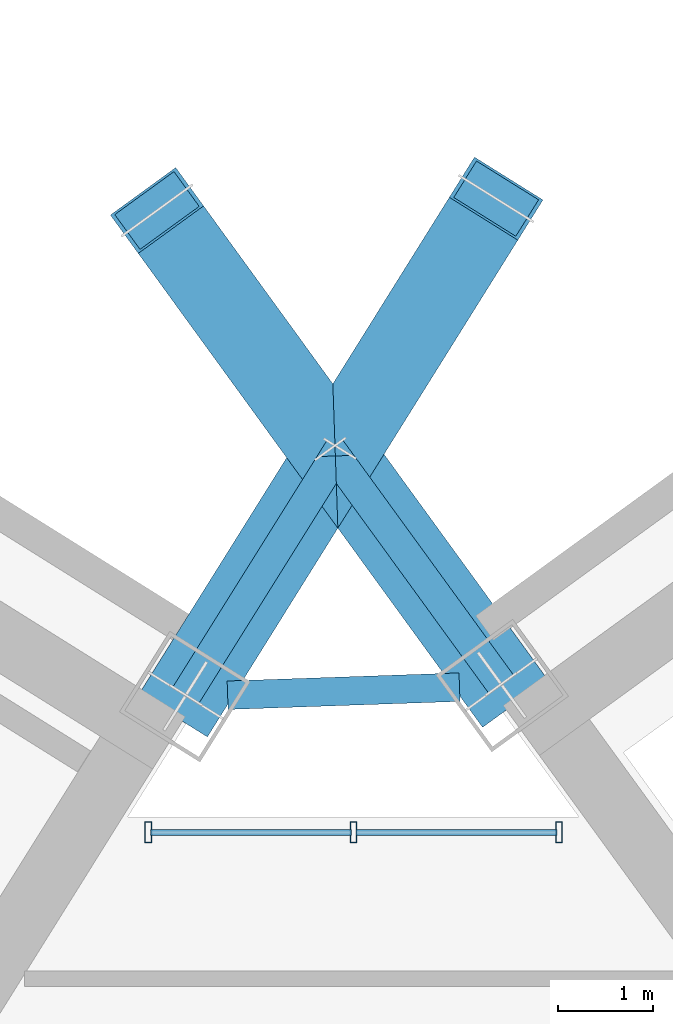
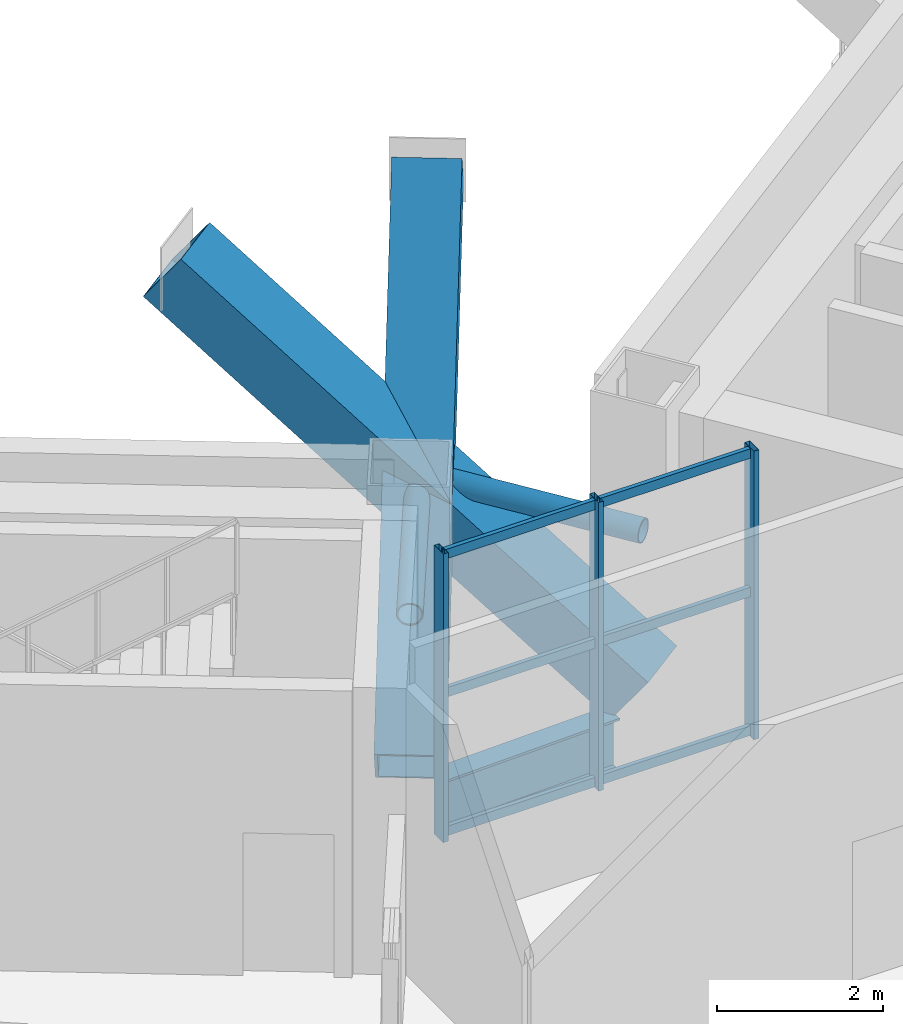
# One storey, part 11 of 30: 13 members, 1 beam, 1 element without a shape of its own.
"""IFC4 building model written with IfcOpenShell, lengths in metres."""

from ifc_helpers import new_model, si_unit, direction, frame, origin, origin_2d, place, context, subcontext, project, spatial, hollow_rectangle, hollow_circle, i_section, extrude, source, transform, mapped, material, material_profile, profile_set, type_object, element, aggregate, save


model = new_model("IFC4")

# Units and contexts
model_context = context("Model", 3, precision=1e-05, world=origin(), true_north=direction((0.0, 1.0)))
body_context = subcontext(model_context, "Body", "Model", "MODEL_VIEW")
ifc_project = project(units=[si_unit("LENGTHUNIT", "METRE"), si_unit("AREAUNIT", "SQUARE_METRE"), si_unit("VOLUMEUNIT", "CUBIC_METRE"), si_unit("PLANEANGLEUNIT", "RADIAN"), si_unit("MASSUNIT", "GRAM", prefix="KILO")], contexts=[model_context])

# Site, building, storey
site_placement = place(None, origin())
site = spatial("IfcSite", under=ifc_project, at=site_placement, CompositionType="ELEMENT")
building_placement = place(site_placement, origin())
building = spatial("IfcBuilding", under=site, at=building_placement, Name="Tlacorven Tower", CompositionType="ELEMENT")
storey_placement = place(building_placement, frame((0.0, 0.0, 67.199951171875)))
storey = spatial("IfcBuildingStorey", under=building, at=storey_placement, Name="L17", CompositionType="ELEMENT", Elevation=67.199951171875)

# Beam
ifc_material_1 = material(Name="Steel S355J2", Category="steel")
ifc_material_profile_1 = material_profile(ifc_material_1, i_section(OverallWidth=0.300048828125, OverallDepth=0.800048828125, WebThickness=0.017578125, FlangeThickness=0.032958984375, at=origin_2d()), Name="HEB 800")
ifc_profile_set_1 = profile_set([ifc_material_profile_1], Name="Steel S355J2")
beam_type = type_object("IfcBeamType", Name="BM-POD-800", PredefinedType="BEAM", material=ifc_profile_set_1)
shared_shape_1 = source(origin(), body_context, "Body", "SweptSolid", [
    extrude(i_section(OverallWidth=0.300048828125, OverallDepth=0.800048828125, WebThickness=0.017578125, FlangeThickness=0.032958984375, at=origin_2d()), origin(), (0.0, 0.0, 1.0), 2.44287109375),
])
beam_placement = place(storey_placement, frame((41.232666015625, 24.484130859375, -0.64990234375), z_axis=(0.999391550767, 0.034878765122, 0.0), x_axis=(-0.034878765122, 0.999391550767, 0.0)))
element("IfcBeam", 1, at=beam_placement, inside=storey, type_object=beam_type, Name="L17 Knuckle Link Girder 1", PredefinedType="BEAM", context=body_context, shape_type="MappedRepresentation", body=[
    mapped(shared_shape_1, transform((0.0, 0.0, 0.0), scale=1.0)),
])

# Members
ifc_material_2 = material(Name="Steel S460M", Category="steel")
ifc_material_profile_2 = material_profile(ifc_material_2, hollow_rectangle(XDim=0.85009765625, YDim=0.85009765625, WallThickness=0.0400390625, at=origin_2d()), Name="BOX 850X850X40")
ifc_profile_set_2 = profile_set([ifc_material_profile_2], Name="Steel S460M")
member_type_1 = type_object("IfcMemberType", Name="MB-RAK-EXT", PredefinedType="STRUT", material=ifc_profile_set_2)
shared_shape_2 = source(origin(), body_context, "Body", "SweptSolid", [
    extrude(hollow_rectangle(XDim=0.85009765625, YDim=0.85009765625, WallThickness=0.0400390625, at=origin_2d()), origin(), (0.0, 0.0, 1.0), 7.62109375),
])
for number, where, z_axis, x_axis, name in (
    (2, (40.79150390625, 24.482177734375, 0.01171875), (0.428857238409, 0.686325351137, 0.587400188501), (-0.848051671646, 0.529913542211, 0.0), "L17 Block-Shift Raking Transfer Strut W1"),
    (3, (44.1142578125, 24.59814453125, 0.01171875), (-0.475691676108, 0.654736782025, 0.587398651297), (-0.809018428472, -0.587783278422, 0.0), "L17 Block-Shift Raking Transfer Strut E1"),
):
    element("IfcMember", number, at=place(storey_placement, frame(where, z_axis=z_axis, x_axis=x_axis)), inside=storey, type_object=member_type_1, Name=name, PredefinedType="STRUT", context=body_context, shape_type="MappedRepresentation", body=[
        mapped(shared_shape_2, transform((0.0, 0.0, 0.0), scale=1.0)),
    ])
ifc_material_profile_3 = material_profile(ifc_material_2, hollow_circle(Radius=0.161865234375, WallThickness=0.01611328125, at=origin_2d()), Name="CHS 323.9X16")
ifc_profile_set_3 = profile_set([ifc_material_profile_3], Name="Steel S460M")
member_type_2 = type_object("IfcMemberType", Name="MB-SHF-BRC", PredefinedType="BRACE", material=ifc_profile_set_3)
shared_shape_3 = source(origin(), body_context, "Body", "SweptSolid", [
    extrude(hollow_circle(Radius=0.161865234375, WallThickness=0.01611328125, at=origin_2d()), origin(), (0.0, 0.0, 1.0), 3.06005859375),
])
for number, where, z_axis, x_axis, name in (
    (4, (40.79345703125, 24.4853515625, 2.25), (0.529934393004, 0.848038642463, 0.0), (-0.848038642463, 0.529934393004, 0.0), "L17 Raking Strut Stabilising Web Brace W1"),
    (5, (44.112060546875, 24.601318359375, 2.25), (-0.587777877013, 0.809022352778, 0.0), (-0.809022352778, -0.587777877013, 0.0), "L17 Raking Strut Stabilising Web Brace E1"),
):
    element("IfcMember", number, at=place(storey_placement, frame(where, z_axis=z_axis, x_axis=x_axis)), inside=storey, type_object=member_type_2, Name=name, PredefinedType="BRACE", context=body_context, shape_type="MappedRepresentation", body=[
        mapped(shared_shape_3, transform((0.0, 0.0, 0.0), scale=1.0)),
    ])

# Curtain wall, members
ifc_material_3 = material(Name="Dark solar low-E double glazing in aluminium frame", Category="aluminium")
curtain_wall_type = type_object("IfcCurtainWallType", Name="CW-TWR-LOW", PredefinedType="USERDEFINED", material=ifc_material_3)
curtain_wall_placement = place(storey_placement, origin())
curtain_wall = element("IfcCurtainWall", 6, at=curtain_wall_placement, inside=storey, type_object=curtain_wall_type, Name="L17 CW-TWR-LOW Curtain Wall 98", ObjectType="UNITISED CURTAIN WALL", PredefinedType="USERDEFINED")
ifc_material_4 = material(Name="Aluminium 6063-T6 anodised", Category="aluminium")
ifc_material_profile_4 = material_profile(ifc_material_4, hollow_rectangle(XDim=0.06005859375, YDim=0.139892578125, WallThickness=0.00390625, at=origin_2d()), Name="ALU TRANSOM 60X140")
ifc_profile_set_4 = profile_set([ifc_material_profile_4], Name="Aluminium 6063-T6 anodised")
member_type_3 = type_object("IfcMemberType", Name="CWT-02", PredefinedType="USERDEFINED", material=ifc_profile_set_4)
shared_shape_4 = source(origin(), body_context, "Body", "SweptSolid", [
    extrude(hollow_rectangle(XDim=0.06005859375, YDim=0.139892578125, WallThickness=0.00390625, at=origin_2d()), origin(), (0.0, 0.0, 1.0), 2.116455078125),
])
member_1_placement = place(storey_placement, frame((40.419921875, 23.0400390625, 0.070068359375), z_axis=(1.0, 0.0, 0.0), x_axis=(0.0, 1.0, 0.0)))
member_1 = element("IfcMember", 7, at=member_1_placement, type_object=member_type_3, Name="CW-L17-098 Transom 1", ObjectType="TRANSOM", PredefinedType="USERDEFINED", context=body_context, shape_type="MappedRepresentation", body=[
    mapped(shared_shape_4, transform((0.0, 0.0, 0.0), scale=1.0)),
])
member_2_placement = place(storey_placement, frame((40.419921875, 23.0400390625, 2.110107421875), z_axis=(1.0, 0.0, 0.0), x_axis=(0.0, 1.0, 0.0)))
member_2 = element("IfcMember", 8, at=member_2_placement, type_object=member_type_3, Name="CW-L17-098 Transom 2", ObjectType="TRANSOM", PredefinedType="USERDEFINED", context=body_context, shape_type="MappedRepresentation", body=[
    mapped(shared_shape_4, transform((0.0, 0.0, 0.0), scale=1.0)),
])
member_3_placement = place(storey_placement, frame((40.419921875, 23.0400390625, 4.150146484375), z_axis=(1.0, 0.0, 0.0), x_axis=(0.0, 1.0, 0.0)))
member_3 = element("IfcMember", 9, at=member_3_placement, type_object=member_type_3, Name="CW-L17-098 Transom 3", ObjectType="TRANSOM", PredefinedType="USERDEFINED", context=body_context, shape_type="MappedRepresentation", body=[
    mapped(shared_shape_4, transform((0.0, 0.0, 0.0), scale=1.0)),
])
shared_shape_5 = source(origin(), body_context, "Body", "SweptSolid", [
    extrude(hollow_rectangle(XDim=0.06005859375, YDim=0.139892578125, WallThickness=0.00390625, at=origin_2d()), origin(), (0.0, 0.0, 1.0), 2.11669921875),
])
member_4_placement = place(storey_placement, frame((42.582275390625, 23.0400390625, 0.070068359375), z_axis=(1.0, 0.0, 0.0), x_axis=(0.0, 1.0, 0.0)))
member_4 = element("IfcMember", 10, at=member_4_placement, type_object=member_type_3, Name="CW-L17-098 Transom 4", ObjectType="TRANSOM", PredefinedType="USERDEFINED", context=body_context, shape_type="MappedRepresentation", body=[
    mapped(shared_shape_5, transform((0.0, 0.0, 0.0), scale=1.0)),
])
member_5_placement = place(storey_placement, frame((42.582275390625, 23.0400390625, 2.110107421875), z_axis=(1.0, 0.0, 0.0), x_axis=(0.0, 1.0, 0.0)))
member_5 = element("IfcMember", 11, at=member_5_placement, type_object=member_type_3, Name="CW-L17-098 Transom 5", ObjectType="TRANSOM", PredefinedType="USERDEFINED", context=body_context, shape_type="MappedRepresentation", body=[
    mapped(shared_shape_5, transform((0.0, 0.0, 0.0), scale=1.0)),
])
member_6_placement = place(storey_placement, frame((42.582275390625, 23.0400390625, 4.150146484375), z_axis=(1.0, 0.0, 0.0), x_axis=(0.0, 1.0, 0.0)))
member_6 = element("IfcMember", 12, at=member_6_placement, type_object=member_type_3, Name="CW-L17-098 Transom 6", ObjectType="TRANSOM", PredefinedType="USERDEFINED", context=body_context, shape_type="MappedRepresentation", body=[
    mapped(shared_shape_5, transform((0.0, 0.0, 0.0), scale=1.0)),
])
ifc_material_profile_5 = material_profile(ifc_material_4, hollow_rectangle(XDim=0.070068359375, YDim=0.219970703125, WallThickness=0.0048828125, at=origin_2d()), Name="ALU MULLION 70X220")
ifc_profile_set_5 = profile_set([ifc_material_profile_5], Name="Aluminium 6063-T6 anodised")
member_type_4 = type_object("IfcMemberType", Name="CWM-01", PredefinedType="MULLION", material=ifc_profile_set_5)
shared_shape_6 = source(origin(), body_context, "Body", "SweptSolid", [
    extrude(hollow_rectangle(XDim=0.070068359375, YDim=0.219970703125, WallThickness=0.0048828125, at=origin_2d()), origin(), (0.0, 0.0, 1.0), 4.25),
])
member_7_placement = place(storey_placement, frame((40.396728515625, 23.0400390625, -0.02001953125), z_axis=(0.0, 0.0, 1.0), x_axis=(1.0, 0.0, 0.0)))
member_7 = element("IfcMember", 13, at=member_7_placement, type_object=member_type_4, Name="CW-L17-098 Mullion 1", PredefinedType="MULLION", context=body_context, shape_type="MappedRepresentation", body=[
    mapped(shared_shape_6, transform((0.0, 0.0, 0.0), scale=1.0)),
])
member_8_placement = place(storey_placement, frame((42.559326171875, 23.0400390625, -0.02001953125), z_axis=(0.0, 0.0, 1.0), x_axis=(1.0, 0.0, 0.0)))
member_8 = element("IfcMember", 14, at=member_8_placement, type_object=member_type_4, Name="CW-L17-098 Mullion 2", PredefinedType="MULLION", context=body_context, shape_type="MappedRepresentation", body=[
    mapped(shared_shape_6, transform((0.0, 0.0, 0.0), scale=1.0)),
])
member_9_placement = place(storey_placement, frame((44.721923828125, 23.0400390625, -0.02001953125), z_axis=(0.0, 0.0, 1.0), x_axis=(1.0, 0.0, 0.0)))
member_9 = element("IfcMember", 15, at=member_9_placement, type_object=member_type_4, Name="CW-L17-098 Mullion 3", PredefinedType="MULLION", context=body_context, shape_type="MappedRepresentation", body=[
    mapped(shared_shape_6, transform((0.0, 0.0, 0.0), scale=1.0)),
])
aggregate(curtain_wall, [member_7, member_8, member_9, member_1, member_2, member_3, member_4, member_5, member_6])

save(model, "model.ifc")
